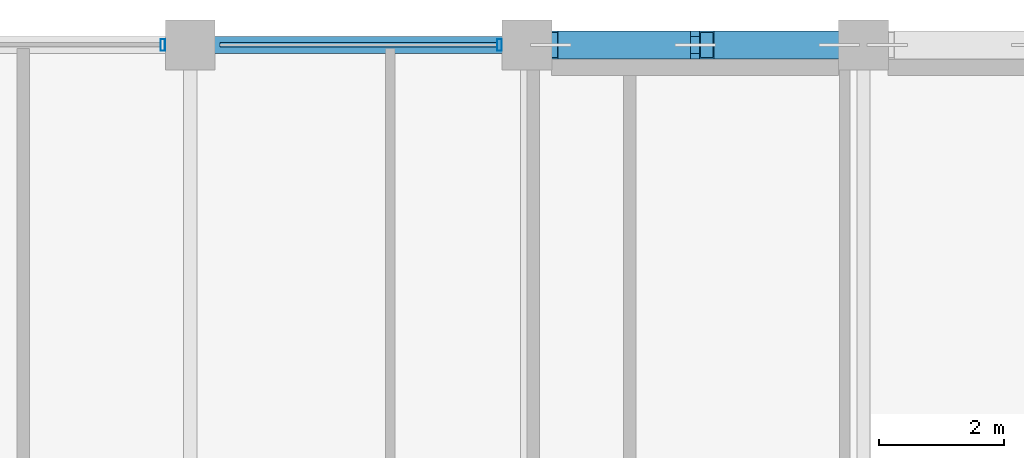
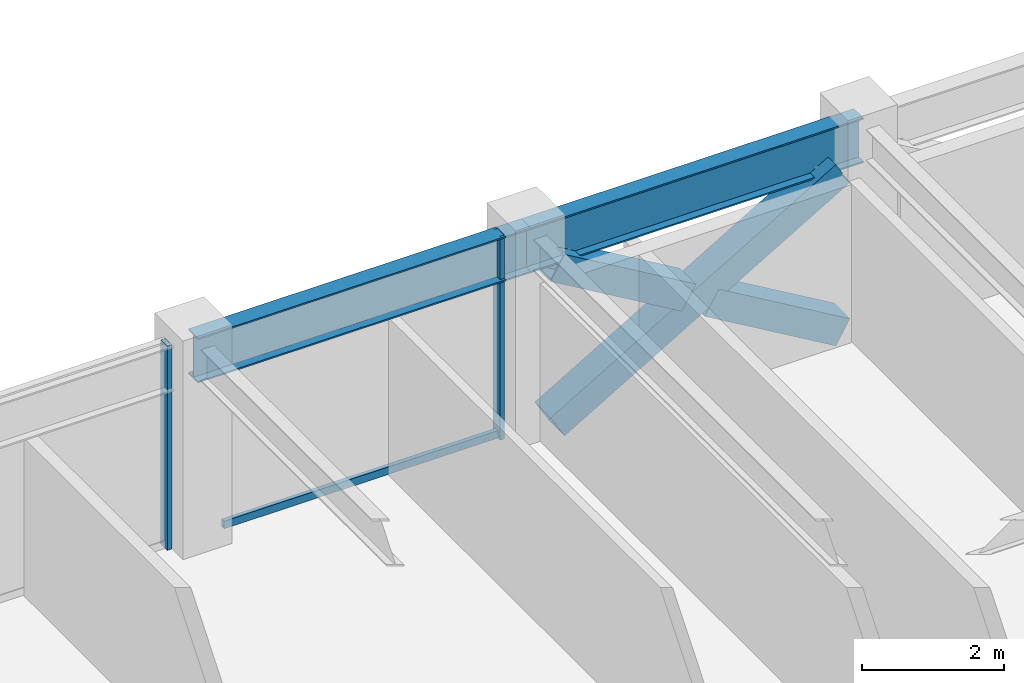
# One storey, part 17 of 28: 6 members, 2 beams, 1 element without a shape of its own.
"""IFC4 building model written with IfcOpenShell, lengths in metres."""

import ifcopenshell
import ifcopenshell.guid

model = None  # the IFC model being written
_history = None  # IfcOwnerHistory: only IFC2X3 demands one
_inside = {}  # id of a spatial element -> (the spatial element, [elements in it])
_under = {}  # id of a project, library or spatial element -> (it, [spatial elements below it])
_declared = {}  # id of a project -> (the project, [libraries it declares])
_typed = {}  # id of a type object -> (the type object, [elements of that type])
_made_of = {}  # id of a material, layer set ... -> (it, [elements and type objects made of it])


def new_model(schema):
    """Start an empty IFC model of exactly this schema.

    Asked for "IFC4X3", IfcOpenShell would pick the latest addendum, in which some entities
    have other attributes; the version numbers below select the first issue.
    IFC2X3 requires an IfcOwnerHistory on every rooted entity: one is made here for all.
    """
    global model, _history
    if schema == "IFC4X3":
        model = ifcopenshell.file(schema_version=(4, 3, 0, 0))
    else:
        model = ifcopenshell.file(schema=schema)
    _inside.clear()
    _under.clear()
    _declared.clear()
    _typed.clear()
    _made_of.clear()
    _history = None
    if model.schema == "IFC2X3":
        org = make("IfcOrganization", Name="unknown")
        user = make(
            "IfcPersonAndOrganization",
            ThePerson=make("IfcPerson", FamilyName="unknown"),
            TheOrganization=org,
        )
        app = make(
            "IfcApplication",
            ApplicationDeveloper=org,
            Version="unknown",
            ApplicationFullName="unknown",
            ApplicationIdentifier="unknown",
        )
        _history = make(
            "IfcOwnerHistory",
            OwningUser=user,
            OwningApplication=app,
            ChangeAction="ADDED",
            CreationDate=0,
        )
    return model


def make(cls, **values):
    """One entity of the class cls with the attributes given. An attribute that is None is left unset."""
    return model.create_entity(
        cls, **{name: value for name, value in values.items() if value is not None}
    )


def rooted(cls, **values):
    """An entity with a GlobalId (a new one), such as an element, a storey or a relation."""
    return make(cls, GlobalId=ifcopenshell.guid.new(), OwnerHistory=_history, **values)


def si_unit(unit_type, name, prefix=None):
    """IfcSIUnit, for example si_unit("LENGTHUNIT", "METRE", prefix="MILLI")."""
    return make("IfcSIUnit", UnitType=unit_type, Prefix=prefix, Name=name)


def assignment(units):
    """IfcUnitAssignment: the units of a project."""
    return None if units is None else make("IfcUnitAssignment", Units=units)


def point(xyz):
    """IfcCartesianPoint."""
    return None if xyz is None else make("IfcCartesianPoint", Coordinates=xyz)


def direction(xyz):
    """IfcDirection."""
    return None if xyz is None else make("IfcDirection", DirectionRatios=xyz)


def frame(location, z_axis=None, x_axis=None):
    """IfcAxis2Placement3D, a coordinate frame: its origin and axes. An axis left out is left unset."""
    return make(
        "IfcAxis2Placement3D",
        Location=point(location),
        Axis=direction(z_axis),
        RefDirection=direction(x_axis),
    )


def frame_2d(location, x_axis=None):
    """IfcAxis2Placement2D, a coordinate frame in the plane: its origin and x axis."""
    return make(
        "IfcAxis2Placement2D", Location=point(location), RefDirection=direction(x_axis)
    )


def origin():
    """The frame at (0, 0, 0) with its axes left unset."""
    return frame((0.0, 0.0, 0.0))


def origin_2d():
    """The frame at (0, 0) in the plane with its x axis left unset."""
    return frame_2d((0.0, 0.0))


def place(relative_to, where):
    """IfcLocalPlacement: puts the frame where relative to a parent placement (None: the world)."""
    return make(
        "IfcLocalPlacement", PlacementRelTo=relative_to, RelativePlacement=where
    )


def context(
    kind, dimensions, precision=None, world=None, true_north=None, identifier=None
):
    """IfcGeometricRepresentationContext, for example the 3D "Model" context."""
    return make(
        "IfcGeometricRepresentationContext",
        ContextIdentifier=identifier,
        ContextType=kind,
        CoordinateSpaceDimension=dimensions,
        Precision=precision,
        WorldCoordinateSystem=world,
        TrueNorth=true_north,
    )


def subcontext(parent, identifier, kind, view, scale=None):
    """IfcGeometricRepresentationSubContext, for example "Body" below "Model"."""
    return make(
        "IfcGeometricRepresentationSubContext",
        ContextIdentifier=identifier,
        ContextType=kind,
        ParentContext=parent,
        TargetScale=scale,
        TargetView=view,
    )


def project(units=None, contexts=None):
    """IfcProject with its units and contexts."""
    return rooted(
        "IfcProject",
        Name="project",
        RepresentationContexts=contexts,
        UnitsInContext=assignment(units),
    )


def spatial(cls, under=None, at=None, **own):
    """A site, building, storey or space (cls), placed at a placement, below another one or the project."""
    s = rooted(cls, ObjectPlacement=at, **own)
    if under is not None:
        _under.setdefault(under.id(), (under, []))[1].append(s)
    return s


def profile(cls, at=None, kind="AREA", **sizes):
    """A parametric profile (cls). Its sizes go by their IFC names, for example OverallWidth=200.0."""
    return make(cls, ProfileType=kind, Position=at, **sizes)


def hollow_rectangle(**sizes):
    """IfcRectangleHollowProfileDef."""
    return profile("IfcRectangleHollowProfileDef", **sizes)


def i_section(**sizes):
    """IfcIShapeProfileDef."""
    return profile("IfcIShapeProfileDef", **sizes)


def extrude(swept, where, along, depth):
    """IfcExtrudedAreaSolid: the profile swept, set in the frame where, extruded along a direction by depth."""
    return make(
        "IfcExtrudedAreaSolid",
        SweptArea=swept,
        Position=where,
        ExtrudedDirection=direction(along),
        Depth=depth,
    )


def shape(context_of_items, identifier, shape_type, items):
    """IfcShapeRepresentation: the items that make up one representation, for example the "Body"."""
    return make(
        "IfcShapeRepresentation",
        ContextOfItems=context_of_items,
        RepresentationIdentifier=identifier,
        RepresentationType=shape_type,
        Items=items,
    )


def material(Name=None, Category=None):
    """IfcMaterial."""
    return make("IfcMaterial", Name=Name, Category=Category)


def layer(
    of_material, thickness, ventilated=None, Name=None, Category=None, Priority=None
):
    """IfcMaterialLayer: one layer of a wall or slab, of a material (None: an air gap)."""
    return make(
        "IfcMaterialLayer",
        Material=of_material,
        LayerThickness=thickness,
        IsVentilated=ventilated,
        Name=Name,
        Category=Category,
        Priority=Priority,
    )


def layer_set(layers, Name=None):
    """IfcMaterialLayerSet."""
    return make("IfcMaterialLayerSet", MaterialLayers=layers, LayerSetName=Name)


def material_profile(
    of_material, cross_section, Name=None, Category=None, Priority=None
):
    """IfcMaterialProfile: a cross section and its material."""
    return make(
        "IfcMaterialProfile",
        Name=Name,
        Material=of_material,
        Profile=cross_section,
        Priority=Priority,
        Category=Category,
    )


def profile_set(profiles, Name=None, composite=None):
    """IfcMaterialProfileSet."""
    return make(
        "IfcMaterialProfileSet",
        Name=Name,
        MaterialProfiles=profiles,
        CompositeProfile=composite,
    )


def made_of(thing, what):
    """Note that an element or type object is made of a material, layer set ...; save() writes the relation."""
    if what is not None:
        _made_of.setdefault(what.id(), (what, []))[1].append(thing)
    return thing


def type_object(cls, material=None, **own):
    """A type object (cls), such as IfcWallType, which elements share."""
    return made_of(rooted(cls, **own), material)


def element(
    cls,
    number,
    at=None,
    inside=None,
    cuts=None,
    type_object=None,
    material=None,
    context=None,
    identifier="Body",
    shape_type=None,
    held_by="IfcProductDefinitionShape",
    body=None,
    shapes=None,
    **own,
):
    """One element of the class cls, such as IfcWall. Its Tag is "e" and its number.

    at: its placement. inside: the storey or other place that contains it. cuts: it is an
    opening in that element (IfcRelVoidsElement). A single representation is given by context,
    identifier, shape_type and body (its items); several are given by shapes. held_by: the class
    of the entity that holds the representations. save() writes the other relations.
    """
    e = rooted(cls, Tag="e%d" % number, ObjectPlacement=at, **own)
    if body is not None:
        shapes = [shape(context, identifier, shape_type, body)]
    if shapes is not None:
        e.Representation = make(held_by, Representations=shapes)
    if inside is not None:
        _inside.setdefault(inside.id(), (inside, []))[1].append(e)
    if cuts is not None:
        rooted(
            "IfcRelVoidsElement", RelatingBuildingElement=cuts, RelatedOpeningElement=e
        )
    if type_object is not None:
        _typed.setdefault(type_object.id(), (type_object, []))[1].append(e)
    return made_of(e, material)


def aggregate(whole, parts):
    """IfcRelAggregates: a whole, such as a stair, and the parts it consists of."""
    return rooted("IfcRelAggregates", RelatingObject=whole, RelatedObjects=parts)


def save(model, path):
    """Write the relations noted so far, then the file.

    IfcRelAggregates (storeys below a building ...), IfcRelContainedInSpatialStructure (elements
    in a storey), IfcRelDefinesByType, IfcRelAssociatesMaterial and IfcRelDeclares: one each for
    every whole, place, type object, material and project.
    """
    for whole, parts in _under.values():
        aggregate(whole, parts)
    for where, things in _inside.values():
        rooted(
            "IfcRelContainedInSpatialStructure",
            RelatedElements=things,
            RelatingStructure=where,
        )
    for kind, things in _typed.values():
        rooted("IfcRelDefinesByType", RelatedObjects=things, RelatingType=kind)
    for what, things in _made_of.values():
        rooted("IfcRelAssociatesMaterial", RelatedObjects=things, RelatingMaterial=what)
    for by, libraries in _declared.values():
        rooted("IfcRelDeclares", RelatingContext=by, RelatedDefinitions=libraries)
    model.write(path)


model = new_model("IFC4")

# Units and contexts
model_context = context("Model", 3, precision=1e-05, world=origin(), true_north=direction((0.0, 1.0)))
body_context = subcontext(model_context, "Body", "Model", "MODEL_VIEW")
ifc_project = project(units=[si_unit("LENGTHUNIT", "METRE"), si_unit("AREAUNIT", "SQUARE_METRE"), si_unit("VOLUMEUNIT", "CUBIC_METRE"), si_unit("PLANEANGLEUNIT", "RADIAN"), si_unit("MASSUNIT", "GRAM", prefix="KILO")], contexts=[model_context])

# Site, building, storey
site_placement = place(None, origin())
site = spatial("IfcSite", under=ifc_project, at=site_placement, CompositionType="ELEMENT")
building_placement = place(site_placement, origin())
building = spatial("IfcBuilding", under=site, at=building_placement, Name="Surkhivell Harbour Commons", CompositionType="ELEMENT")
storey_placement = place(building_placement, frame((0.0, 0.0, 246.0)))
storey = spatial("IfcBuildingStorey", under=building, at=storey_placement, Name="L64", CompositionType="ELEMENT", Elevation=246.0)

# Beams
ifc_material_1 = material(Name="Steel S355", Category="steel")
ifc_material_profile_1 = material_profile(ifc_material_1, i_section(OverallWidth=0.26806640625, OverallDepth=0.77001953125, WebThickness=0.015625, FlangeThickness=0.025390625, at=origin_2d()), Name="UB762x267x197")
ifc_profile_set_1 = profile_set([ifc_material_profile_1], Name="Steel S355")
beam_type = type_object("IfcBeamType", Name="BM-SPN-762", PredefinedType="SPANDREL", material=ifc_profile_set_1)
beam_1_placement = place(storey_placement, frame((-10.800048828125, 25.89990234375, 3.114990234375), z_axis=(1.0, 0.0, 0.0), x_axis=(0.0, 1.0, 0.0)))
element("IfcBeam", 1, at=beam_1_placement, inside=storey, type_object=beam_type, Name="L64 Tube Spandrel (-10.8,25.9)", PredefinedType="SPANDREL", context=body_context, shape_type="SweptSolid", body=[
    extrude(i_section(OverallWidth=0.26806640625, OverallDepth=0.77001953125, WebThickness=0.015625, FlangeThickness=0.025390625, at=origin_2d()), origin(), (0.0, 0.0, 1.0), 5.400146484375),
])
beam_2_placement = place(storey_placement, frame((-5.39990234375, 25.89990234375, 3.114990234375), z_axis=(1.0, 0.0, 0.0), x_axis=(0.0, 1.0, 0.0)))
element("IfcBeam", 2, at=beam_2_placement, inside=storey, type_object=beam_type, Name="L64 Tube Spandrel (-5.4,25.9)", PredefinedType="SPANDREL", context=body_context, shape_type="SweptSolid", body=[
    extrude(i_section(OverallWidth=0.26806640625, OverallDepth=0.77001953125, WebThickness=0.015625, FlangeThickness=0.025390625, at=origin_2d()), origin(), (0.0, 0.0, 1.0), 5.39990234375),
])

# Curtain wall, members
ifc_material_2 = material(Name="Anodised pale-metal aluminium and insulated glazing", Category="aluminium")
ifc_layer = layer(ifc_material_2, 0.18994140625)
ifc_layer_set = layer_set([ifc_layer], Name="Anodised pale-metal aluminium and insulated glazing")
curtain_wall_type = type_object("IfcCurtainWallType", Name="CW-SYS-Z3", PredefinedType="NOTDEFINED", material=ifc_layer_set)
curtain_wall_placement = place(storey_placement, origin())
curtain_wall = element("IfcCurtainWall", 3, at=curtain_wall_placement, inside=storey, type_object=curtain_wall_type, Name="L64 Curtain Wall CW-L64-E07S2", PredefinedType="NOTDEFINED")
ifc_material_3 = material(Name="Anodised pale-metal aluminium alloy 6063-T6", Category="aluminium")
ifc_material_profile_2 = material_profile(ifc_material_3, hollow_rectangle(XDim=0.074951171875, YDim=0.18994140625, WallThickness=0.00390625, at=origin_2d()), Name="ALU-MULL-75x190")
ifc_profile_set_2 = profile_set([ifc_material_profile_2], Name="Anodised pale-metal aluminium alloy 6063-T6")
member_type_1 = type_object("IfcMemberType", Name="CWM-190", PredefinedType="MULLION", material=ifc_profile_set_2)
member_1_placement = place(storey_placement, frame((-5.839599609375, 25.89990234375, 0.0), z_axis=(0.0, 0.0, 1.0), x_axis=(-1.0, 0.0, 0.0)))
member_1 = element("IfcMember", 4, at=member_1_placement, type_object=member_type_1, Name="CW-Z3 mullion 1", PredefinedType="MULLION", context=body_context, shape_type="SweptSolid", body=[
    extrude(hollow_rectangle(XDim=0.074951171875, YDim=0.18994140625, WallThickness=0.00390625, at=origin_2d()), origin(), (0.0, 0.0, 1.0), 3.5),
])
member_2_placement = place(storey_placement, frame((-11.239501953125, 25.89990234375, 0.0), z_axis=(0.0, 0.0, 1.0), x_axis=(-1.0, 0.0, 0.0)))
member_2 = element("IfcMember", 5, at=member_2_placement, type_object=member_type_1, Name="CW-Z3 mullion 2", PredefinedType="MULLION", context=body_context, shape_type="SweptSolid", body=[
    extrude(hollow_rectangle(XDim=0.074951171875, YDim=0.18994140625, WallThickness=0.00390625, at=origin_2d()), origin(), (0.0, 0.0, 1.0), 3.5),
])
ifc_material_4 = material(Name="Champagne anodised aluminium alloy 6063-T6", Category="aluminium")
ifc_material_profile_3 = material_profile(ifc_material_4, hollow_rectangle(XDim=0.070068359375, YDim=0.1298828125, WallThickness=0.00341796875, at=origin_2d()), Name="ALU-TRAN-70x130")
ifc_profile_set_3 = profile_set([ifc_material_profile_3], Name="Champagne anodised aluminium alloy 6063-T6")
member_type_2 = type_object("IfcMemberType", Name="CWT-130", PredefinedType="USERDEFINED", material=ifc_profile_set_3)
member_3_placement = place(storey_placement, frame((-5.876953125, 25.89990234375, 0.06494140625), z_axis=(-1.0, 0.0, 0.0), x_axis=(0.0, -1.0, 0.0)))
member_3 = element("IfcMember", 6, at=member_3_placement, type_object=member_type_2, Name="CW-Z3 transom 1.1", ObjectType="TRANSOM", PredefinedType="USERDEFINED", context=body_context, shape_type="SweptSolid", body=[
    extrude(hollow_rectangle(XDim=0.070068359375, YDim=0.1298828125, WallThickness=0.00341796875, at=origin_2d()), origin(), (0.0, 0.0, 1.0), 4.446044921875),
])
aggregate(curtain_wall, [member_1, member_3, member_2])

# Members
ifc_material_5 = material(Name="Steel S460", Category="steel")
ifc_material_profile_4 = material_profile(ifc_material_5, hollow_rectangle(XDim=0.449951171875, YDim=0.449951171875, WallThickness=0.02197265625, at=origin_2d()), Name="SHS450x450x22")
ifc_profile_set_4 = profile_set([ifc_material_profile_4], Name="Steel S460")
member_type_3 = type_object("IfcMemberType", Name="MEM-BRC-SHS450", PredefinedType="BRACE", material=ifc_profile_set_4)
member_4_placement = place(storey_placement, frame((-5.014892578125, 25.89990234375, 0.008056640625), z_axis=(0.861741408659, 0.0, 0.507347755098), x_axis=(0.0, 1.0, 0.0)))
element("IfcMember", 7, at=member_4_placement, inside=storey, type_object=member_type_3, Name="L64 Perimeter Mega-Brace MB- 01", PredefinedType="BRACE", context=body_context, shape_type="SweptSolid", body=[
    extrude(hollow_rectangle(XDim=0.449951171875, YDim=0.449951171875, WallThickness=0.02197265625, at=origin_2d()), origin(), (0.0, 0.0, 1.0), 5.372802734375),
])
for number, where, z_axis, x_axis, name in (
    (8, (-0.385009765625, 25.89990234375, 0.008056640625), (-0.861735995374, 0.0, 0.50735694957), (0.0, -1.0, 0.0), "L64 Perimeter Mega-Brace MB- 02"),
    (9, (-2.885986328125, 25.89990234375, 1.480712890625), (-0.861779200568, 0.0, 0.507283559233), (0.0, -1.0, 0.0), "L64 Perimeter Mega-Brace MB- 03"),
):
    element("IfcMember", number, at=place(storey_placement, frame(where, z_axis=z_axis, x_axis=x_axis)), inside=storey, type_object=member_type_3, Name=name, PredefinedType="BRACE", context=body_context, shape_type="SweptSolid", body=[
        extrude(hollow_rectangle(XDim=0.449951171875, YDim=0.449951171875, WallThickness=0.02197265625, at=origin_2d()), origin(), (0.0, 0.0, 1.0), 2.470458984375),
    ])

save(model, "model.ifc")
